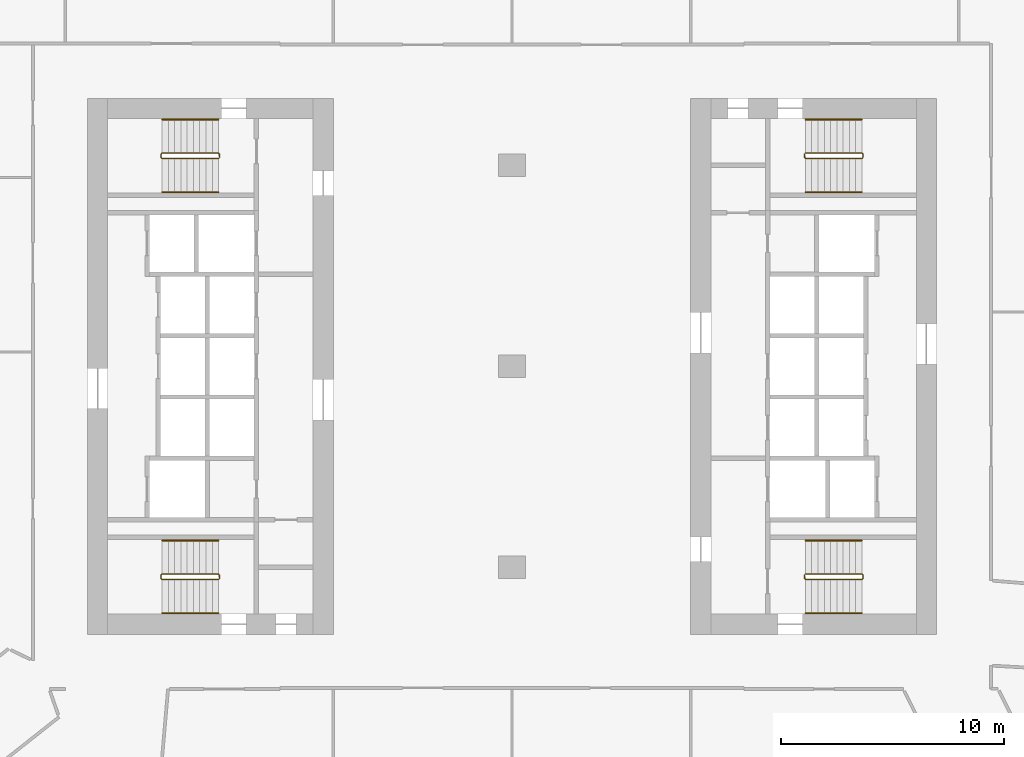
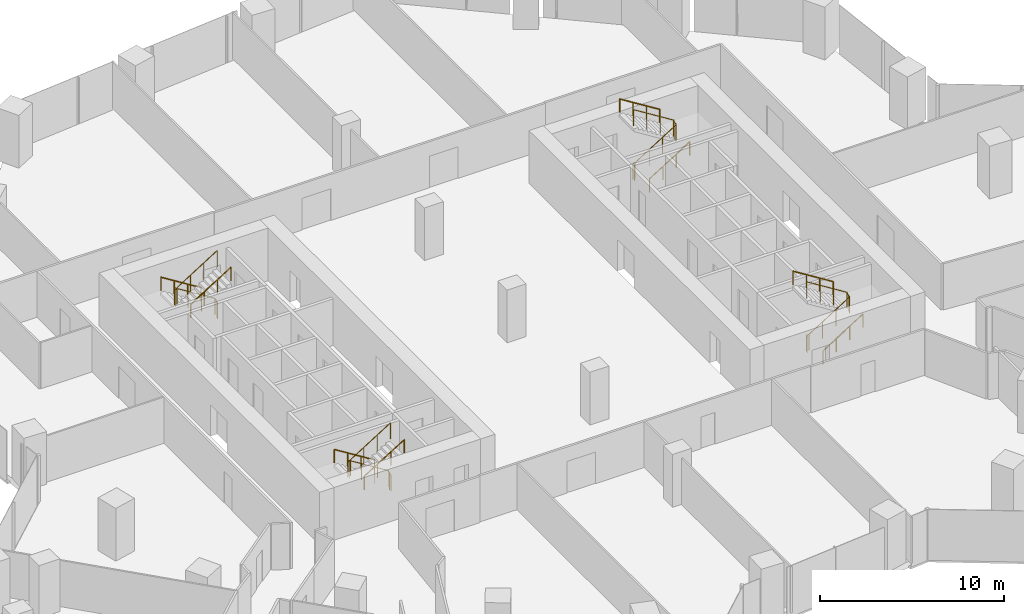
# One storey, part 34 of 34: 12 railings.
"""IFC4 building model written with IfcOpenShell, lengths in metres."""

from ifc_helpers import new_model, si_unit, direction, frame, origin, origin_2d, place, context, subcontext, project, spatial, circle, extrude, material, type_object, element, save


model = new_model("IFC4")

# Units and contexts
model_context = context("Model", 3, precision=1e-05, world=origin(), true_north=direction((0.0, 1.0)))
body_context = subcontext(model_context, "Body", "Model", "MODEL_VIEW")
ifc_project = project(units=[si_unit("LENGTHUNIT", "METRE"), si_unit("AREAUNIT", "SQUARE_METRE"), si_unit("VOLUMEUNIT", "CUBIC_METRE"), si_unit("PLANEANGLEUNIT", "RADIAN"), si_unit("MASSUNIT", "GRAM", prefix="KILO")], contexts=[model_context])

# Site, building, storey
site_placement = place(None, origin())
site = spatial("IfcSite", under=ifc_project, at=site_placement, CompositionType="ELEMENT")
building_placement = place(site_placement, origin())
building = spatial("IfcBuilding", under=site, at=building_placement, Name="Orlundy Tower", CompositionType="ELEMENT")
storey_placement = place(building_placement, frame((0.0, 0.0, 47.800048828125)))
storey = spatial("IfcBuildingStorey", under=building, at=storey_placement, Name="L10", CompositionType="ELEMENT", Elevation=47.800048828125)

# Railings
ifc_material_1 = material(Name="Steel balustrade", Category="steel")
railing_type_1 = type_object("IfcRailingType", Name="Stair Guard 1100", PredefinedType="GUARDRAIL", material=ifc_material_1)
railing_1_placement = place(storey_placement, frame((-13.090087890625, 9.5, 0.0)))
element("IfcRailing", 1, at=railing_1_placement, inside=storey, type_object=railing_type_1, Name="L10 ST-W1 stair guard 1", PredefinedType="GUARDRAIL", context=body_context, shape_type="SweptSolid", body=[
    extrude(circle(Radius=0.02392578125, at=origin_2d()), frame((0.0, 0.0, 1.076171875), z_axis=(0.0, -1.0, 0.0), x_axis=(1.0, 0.0, 0.0)), (0.0, 0.0, 1.0), 0.14990234375),
    extrude(circle(Radius=0.02392578125, at=origin_2d()), frame((0.0, -0.14990234375, 1.076171875), z_axis=(-0.18420542264, 0.739530593833, 0.647427882513), x_axis=(-0.970351222016, -0.241699205484, 0.0)), (0.0, 0.0, 1.0), 0.270263671875),
    extrude(circle(Radius=0.02392578125, at=origin_2d()), frame((-0.0498046875, 0.050048828125, 1.2509765625), z_axis=(-0.848007534815, 0.0, 0.529984170421), x_axis=(0.0, -1.0, 0.0)), (0.0, 0.0, 1.0), 2.9716796875),
    extrude(circle(Radius=0.02392578125, at=origin_2d()), frame((-2.56982421875, 0.050048828125, 2.826171875), z_axis=(-0.707106781187, -0.707106781187, 0.0), x_axis=(0.707106781187, -0.707106781187, 0.0)), (0.0, 0.0, 1.0), 0.07080078125),
    extrude(circle(Radius=0.02392578125, at=origin_2d()), frame((-2.619873046875, 0.0, 2.826171875), z_axis=(0.0, -1.0, 0.0), x_axis=(1.0, 0.0, 0.0)), (0.0, 0.0, 1.0), 0.14990234375),
    extrude(circle(Radius=0.02392578125, at=origin_2d()), frame((-2.619873046875, -0.14990234375, 2.826171875), z_axis=(0.265065253269, -0.265065253269, 0.927081885822), x_axis=(0.707106781187, 0.707106781187, 0.0)), (0.0, 0.0, 1.0), 0.188720703125),
    extrude(circle(Radius=0.02392578125, at=origin_2d()), frame((-2.56982421875, -0.199951171875, 3.0009765625), z_axis=(0.848007534815, 0.0, 0.529984170421), x_axis=(0.0, 1.0, 0.0)), (0.0, 0.0, 1.0), 2.9716796875),
    extrude(circle(Radius=0.02099609375, at=origin_2d()), origin(), (0.0, 0.0, 1.0), 1.052001953125),
    extrude(circle(Radius=0.02099609375, at=origin_2d()), frame((0.0, -0.14990234375, 0.0)), (0.0, 0.0, 1.0), 1.052001953125),
    extrude(circle(Radius=0.02099609375, at=origin_2d()), frame((-0.0498046875, 0.050048828125, 0.175048828125)), (0.0, 0.0, 1.0), 1.052001953125),
    extrude(circle(Radius=0.02099609375, at=origin_2d()), frame((-0.889892578125, 0.050048828125, 0.699951171875)), (0.0, 0.0, 1.0), 1.052001953125),
    extrude(circle(Radius=0.02099609375, at=origin_2d()), frame((-1.729736328125, 0.050048828125, 1.22509765625)), (0.0, 0.0, 1.0), 1.052001953125),
    extrude(circle(Radius=0.02099609375, at=origin_2d()), frame((-2.56982421875, 0.050048828125, 1.75)), (0.0, 0.0, 1.0), 1.052001953125),
    extrude(circle(Radius=0.02099609375, at=origin_2d()), frame((-2.619873046875, 0.0, 1.75)), (0.0, 0.0, 1.0), 1.052001953125),
    extrude(circle(Radius=0.02099609375, at=origin_2d()), frame((-2.619873046875, -0.14990234375, 1.75)), (0.0, 0.0, 1.0), 1.052001953125),
    extrude(circle(Radius=0.02099609375, at=origin_2d()), frame((-2.56982421875, -0.199951171875, 1.925048828125)), (0.0, 0.0, 1.0), 1.052001953125),
    extrude(circle(Radius=0.02099609375, at=origin_2d()), frame((-1.729736328125, -0.199951171875, 2.449951171875)), (0.0, 0.0, 1.0), 1.052001953125),
    extrude(circle(Radius=0.02099609375, at=origin_2d()), frame((-0.889892578125, -0.199951171875, 2.97509765625)), (0.0, 0.0, 1.0), 1.052001953125),
    extrude(circle(Radius=0.02099609375, at=origin_2d()), frame((-0.0498046875, -0.199951171875, 3.5)), (0.0, 0.0, 1.0), 1.052001953125),
])
railing_2_placement = place(storey_placement, frame((-13.090087890625, -9.35009765625, 0.0)))
element("IfcRailing", 2, at=railing_2_placement, inside=storey, type_object=railing_type_1, Name="L10 ST-W2 stair guard 1", PredefinedType="GUARDRAIL", context=body_context, shape_type="SweptSolid", body=[
    extrude(circle(Radius=0.02392578125, at=origin_2d()), frame((0.0, 0.0, 1.076171875), z_axis=(0.0, -1.0, 0.0), x_axis=(1.0, 0.0, 0.0)), (0.0, 0.0, 1.0), 0.14990234375),
    extrude(circle(Radius=0.02392578125, at=origin_2d()), frame((0.0, -0.14990234375, 1.076171875), z_axis=(-0.18420542264, 0.739530593833, 0.647427882513), x_axis=(-0.970351222016, -0.241699205484, 0.0)), (0.0, 0.0, 1.0), 0.270263671875),
    extrude(circle(Radius=0.02392578125, at=origin_2d()), frame((-0.0498046875, 0.050048828125, 1.2509765625), z_axis=(-0.848007534815, 0.0, 0.529984170421), x_axis=(0.0, -1.0, 0.0)), (0.0, 0.0, 1.0), 2.9716796875),
    extrude(circle(Radius=0.02392578125, at=origin_2d()), frame((-2.56982421875, 0.050048828125, 2.826171875), z_axis=(-0.707106781187, -0.707106781187, 0.0), x_axis=(0.707106781187, -0.707106781187, 0.0)), (0.0, 0.0, 1.0), 0.07080078125),
    extrude(circle(Radius=0.02392578125, at=origin_2d()), frame((-2.619873046875, 0.0, 2.826171875), z_axis=(0.0, -1.0, 0.0), x_axis=(1.0, 0.0, 0.0)), (0.0, 0.0, 1.0), 0.14990234375),
    extrude(circle(Radius=0.02392578125, at=origin_2d()), frame((-2.619873046875, -0.14990234375, 2.826171875), z_axis=(0.265065253269, -0.265065253269, 0.927081885822), x_axis=(0.707106781187, 0.707106781187, 0.0)), (0.0, 0.0, 1.0), 0.188720703125),
    extrude(circle(Radius=0.02392578125, at=origin_2d()), frame((-2.56982421875, -0.199951171875, 3.0009765625), z_axis=(0.848007534815, 0.0, 0.529984170421), x_axis=(0.0, 1.0, 0.0)), (0.0, 0.0, 1.0), 2.9716796875),
    extrude(circle(Radius=0.02099609375, at=origin_2d()), origin(), (0.0, 0.0, 1.0), 1.052001953125),
    extrude(circle(Radius=0.02099609375, at=origin_2d()), frame((0.0, -0.14990234375, 0.0)), (0.0, 0.0, 1.0), 1.052001953125),
    extrude(circle(Radius=0.02099609375, at=origin_2d()), frame((-0.0498046875, 0.050048828125, 0.175048828125)), (0.0, 0.0, 1.0), 1.052001953125),
    extrude(circle(Radius=0.02099609375, at=origin_2d()), frame((-0.889892578125, 0.050048828125, 0.699951171875)), (0.0, 0.0, 1.0), 1.052001953125),
    extrude(circle(Radius=0.02099609375, at=origin_2d()), frame((-1.729736328125, 0.050048828125, 1.22509765625)), (0.0, 0.0, 1.0), 1.052001953125),
    extrude(circle(Radius=0.02099609375, at=origin_2d()), frame((-2.56982421875, 0.050048828125, 1.75)), (0.0, 0.0, 1.0), 1.052001953125),
    extrude(circle(Radius=0.02099609375, at=origin_2d()), frame((-2.619873046875, 0.0, 1.75)), (0.0, 0.0, 1.0), 1.052001953125),
    extrude(circle(Radius=0.02099609375, at=origin_2d()), frame((-2.619873046875, -0.14990234375, 1.75)), (0.0, 0.0, 1.0), 1.052001953125),
    extrude(circle(Radius=0.02099609375, at=origin_2d()), frame((-2.56982421875, -0.199951171875, 1.925048828125)), (0.0, 0.0, 1.0), 1.052001953125),
    extrude(circle(Radius=0.02099609375, at=origin_2d()), frame((-1.729736328125, -0.199951171875, 2.449951171875)), (0.0, 0.0, 1.0), 1.052001953125),
    extrude(circle(Radius=0.02099609375, at=origin_2d()), frame((-0.889892578125, -0.199951171875, 2.97509765625)), (0.0, 0.0, 1.0), 1.052001953125),
    extrude(circle(Radius=0.02099609375, at=origin_2d()), frame((-0.0498046875, -0.199951171875, 3.5)), (0.0, 0.0, 1.0), 1.052001953125),
])
railing_3_placement = place(storey_placement, frame((13.090087890625, -9.5, 0.0)))
element("IfcRailing", 3, at=railing_3_placement, inside=storey, type_object=railing_type_1, Name="L10 ST-E1 stair guard 1", PredefinedType="GUARDRAIL", context=body_context, shape_type="SweptSolid", body=[
    extrude(circle(Radius=0.02392578125, at=origin_2d()), frame((0.0, 0.0, 1.076171875), z_axis=(0.0, 1.0, 0.0), x_axis=(-1.0, 0.0, 0.0)), (0.0, 0.0, 1.0), 0.14990234375),
    extrude(circle(Radius=0.02392578125, at=origin_2d()), frame((0.0, 0.14990234375, 1.076171875), z_axis=(0.18420542264, -0.739530593833, 0.647427882513), x_axis=(0.970351222016, 0.241699205484, 0.0)), (0.0, 0.0, 1.0), 0.270263671875),
    extrude(circle(Radius=0.02392578125, at=origin_2d()), frame((0.0498046875, -0.050048828125, 1.2509765625), z_axis=(0.848007534815, 0.0, 0.529984170421), x_axis=(0.0, 1.0, 0.0)), (0.0, 0.0, 1.0), 2.9716796875),
    extrude(circle(Radius=0.02392578125, at=origin_2d()), frame((2.56982421875, -0.050048828125, 2.826171875), z_axis=(0.707106781187, 0.707106781187, 0.0), x_axis=(-0.707106781187, 0.707106781187, 0.0)), (0.0, 0.0, 1.0), 0.07080078125),
    extrude(circle(Radius=0.02392578125, at=origin_2d()), frame((2.619873046875, 0.0, 2.826171875), z_axis=(0.0, 1.0, 0.0), x_axis=(-1.0, 0.0, 0.0)), (0.0, 0.0, 1.0), 0.14990234375),
    extrude(circle(Radius=0.02392578125, at=origin_2d()), frame((2.619873046875, 0.14990234375, 2.826171875), z_axis=(-0.265065253269, 0.265065253269, 0.927081885822), x_axis=(-0.707106781187, -0.707106781187, 0.0)), (0.0, 0.0, 1.0), 0.188720703125),
    extrude(circle(Radius=0.02392578125, at=origin_2d()), frame((2.56982421875, 0.199951171875, 3.0009765625), z_axis=(-0.848007534815, 0.0, 0.529984170421), x_axis=(0.0, -1.0, 0.0)), (0.0, 0.0, 1.0), 2.9716796875),
    extrude(circle(Radius=0.02099609375, at=origin_2d()), origin(), (0.0, 0.0, 1.0), 1.052001953125),
    extrude(circle(Radius=0.02099609375, at=origin_2d()), frame((0.0, 0.14990234375, 0.0)), (0.0, 0.0, 1.0), 1.052001953125),
    extrude(circle(Radius=0.02099609375, at=origin_2d()), frame((0.0498046875, -0.050048828125, 0.175048828125)), (0.0, 0.0, 1.0), 1.052001953125),
    extrude(circle(Radius=0.02099609375, at=origin_2d()), frame((0.889892578125, -0.050048828125, 0.699951171875)), (0.0, 0.0, 1.0), 1.052001953125),
    extrude(circle(Radius=0.02099609375, at=origin_2d()), frame((1.729736328125, -0.050048828125, 1.22509765625)), (0.0, 0.0, 1.0), 1.052001953125),
    extrude(circle(Radius=0.02099609375, at=origin_2d()), frame((2.56982421875, -0.050048828125, 1.75)), (0.0, 0.0, 1.0), 1.052001953125),
    extrude(circle(Radius=0.02099609375, at=origin_2d()), frame((2.619873046875, 0.0, 1.75)), (0.0, 0.0, 1.0), 1.052001953125),
    extrude(circle(Radius=0.02099609375, at=origin_2d()), frame((2.619873046875, 0.14990234375, 1.75)), (0.0, 0.0, 1.0), 1.052001953125),
    extrude(circle(Radius=0.02099609375, at=origin_2d()), frame((2.56982421875, 0.199951171875, 1.925048828125)), (0.0, 0.0, 1.0), 1.052001953125),
    extrude(circle(Radius=0.02099609375, at=origin_2d()), frame((1.729736328125, 0.199951171875, 2.449951171875)), (0.0, 0.0, 1.0), 1.052001953125),
    extrude(circle(Radius=0.02099609375, at=origin_2d()), frame((0.889892578125, 0.199951171875, 2.97509765625)), (0.0, 0.0, 1.0), 1.052001953125),
    extrude(circle(Radius=0.02099609375, at=origin_2d()), frame((0.0498046875, 0.199951171875, 3.5)), (0.0, 0.0, 1.0), 1.052001953125),
])
railing_4_placement = place(storey_placement, frame((13.090087890625, 9.35009765625, 0.0)))
element("IfcRailing", 4, at=railing_4_placement, inside=storey, type_object=railing_type_1, Name="L10 ST-E2 stair guard 1", PredefinedType="GUARDRAIL", context=body_context, shape_type="SweptSolid", body=[
    extrude(circle(Radius=0.02392578125, at=origin_2d()), frame((0.0, 0.0, 1.076171875), z_axis=(0.0, 1.0, 0.0), x_axis=(-1.0, 0.0, 0.0)), (0.0, 0.0, 1.0), 0.14990234375),
    extrude(circle(Radius=0.02392578125, at=origin_2d()), frame((0.0, 0.14990234375, 1.076171875), z_axis=(0.18420542264, -0.739530593833, 0.647427882513), x_axis=(0.970351222016, 0.241699205484, 0.0)), (0.0, 0.0, 1.0), 0.270263671875),
    extrude(circle(Radius=0.02392578125, at=origin_2d()), frame((0.0498046875, -0.050048828125, 1.2509765625), z_axis=(0.848007534815, 0.0, 0.529984170421), x_axis=(0.0, 1.0, 0.0)), (0.0, 0.0, 1.0), 2.9716796875),
    extrude(circle(Radius=0.02392578125, at=origin_2d()), frame((2.56982421875, -0.050048828125, 2.826171875), z_axis=(0.707106781187, 0.707106781187, 0.0), x_axis=(-0.707106781187, 0.707106781187, 0.0)), (0.0, 0.0, 1.0), 0.07080078125),
    extrude(circle(Radius=0.02392578125, at=origin_2d()), frame((2.619873046875, 0.0, 2.826171875), z_axis=(0.0, 1.0, 0.0), x_axis=(-1.0, 0.0, 0.0)), (0.0, 0.0, 1.0), 0.14990234375),
    extrude(circle(Radius=0.02392578125, at=origin_2d()), frame((2.619873046875, 0.14990234375, 2.826171875), z_axis=(-0.265065253269, 0.265065253269, 0.927081885822), x_axis=(-0.707106781187, -0.707106781187, 0.0)), (0.0, 0.0, 1.0), 0.188720703125),
    extrude(circle(Radius=0.02392578125, at=origin_2d()), frame((2.56982421875, 0.199951171875, 3.0009765625), z_axis=(-0.848007534815, 0.0, 0.529984170421), x_axis=(0.0, -1.0, 0.0)), (0.0, 0.0, 1.0), 2.9716796875),
    extrude(circle(Radius=0.02099609375, at=origin_2d()), origin(), (0.0, 0.0, 1.0), 1.052001953125),
    extrude(circle(Radius=0.02099609375, at=origin_2d()), frame((0.0, 0.14990234375, 0.0)), (0.0, 0.0, 1.0), 1.052001953125),
    extrude(circle(Radius=0.02099609375, at=origin_2d()), frame((0.0498046875, -0.050048828125, 0.175048828125)), (0.0, 0.0, 1.0), 1.052001953125),
    extrude(circle(Radius=0.02099609375, at=origin_2d()), frame((0.889892578125, -0.050048828125, 0.699951171875)), (0.0, 0.0, 1.0), 1.052001953125),
    extrude(circle(Radius=0.02099609375, at=origin_2d()), frame((1.729736328125, -0.050048828125, 1.22509765625)), (0.0, 0.0, 1.0), 1.052001953125),
    extrude(circle(Radius=0.02099609375, at=origin_2d()), frame((2.56982421875, -0.050048828125, 1.75)), (0.0, 0.0, 1.0), 1.052001953125),
    extrude(circle(Radius=0.02099609375, at=origin_2d()), frame((2.619873046875, 0.0, 1.75)), (0.0, 0.0, 1.0), 1.052001953125),
    extrude(circle(Radius=0.02099609375, at=origin_2d()), frame((2.619873046875, 0.14990234375, 1.75)), (0.0, 0.0, 1.0), 1.052001953125),
    extrude(circle(Radius=0.02099609375, at=origin_2d()), frame((2.56982421875, 0.199951171875, 1.925048828125)), (0.0, 0.0, 1.0), 1.052001953125),
    extrude(circle(Radius=0.02099609375, at=origin_2d()), frame((1.729736328125, 0.199951171875, 2.449951171875)), (0.0, 0.0, 1.0), 1.052001953125),
    extrude(circle(Radius=0.02099609375, at=origin_2d()), frame((0.889892578125, 0.199951171875, 2.97509765625)), (0.0, 0.0, 1.0), 1.052001953125),
    extrude(circle(Radius=0.02099609375, at=origin_2d()), frame((0.0498046875, 0.199951171875, 3.5)), (0.0, 0.0, 1.0), 1.052001953125),
])
ifc_material_2 = material(Name="Steel handrail", Category="steel")
railing_type_2 = type_object("IfcRailingType", Name="Stair Handrail 900", PredefinedType="HANDRAIL", material=ifc_material_2)
railing_5_placement = place(storey_placement, frame((-13.139892578125, 11.050048828125, 0.175048828125)))
element("IfcRailing", 5, at=railing_5_placement, inside=storey, type_object=railing_type_2, Name="L10 ST-W1 stair handrail 1", PredefinedType="HANDRAIL", context=body_context, shape_type="SweptSolid", body=[
    extrude(circle(Radius=0.02392578125, at=origin_2d()), frame((0.0, 0.0, 0.8759765625), z_axis=(-0.848007534815, 0.0, 0.529984170421), x_axis=(0.0, -1.0, 0.0)), (0.0, 0.0, 1.0), 2.9716796875),
    extrude(circle(Radius=0.02099609375, at=origin_2d()), origin(), (0.0, 0.0, 1.0), 0.851806640625),
    extrude(circle(Radius=0.02099609375, at=origin_2d()), frame((-0.840087890625, 0.0, 0.52490234375)), (0.0, 0.0, 1.0), 0.851806640625),
    extrude(circle(Radius=0.02099609375, at=origin_2d()), frame((-1.679931640625, 0.0, 1.050048828125)), (0.0, 0.0, 1.0), 0.851806640625),
    extrude(circle(Radius=0.02099609375, at=origin_2d()), frame((-2.52001953125, 0.0, 1.574951171875)), (0.0, 0.0, 1.0), 0.851806640625),
])
railing_6_placement = place(storey_placement, frame((-15.659912109375, 7.800048828125, 1.925048828125)))
element("IfcRailing", 6, at=railing_6_placement, inside=storey, type_object=railing_type_2, Name="L10 ST-W1 stair handrail 2", PredefinedType="HANDRAIL", context=body_context, shape_type="SweptSolid", body=[
    extrude(circle(Radius=0.02392578125, at=origin_2d()), frame((0.0, 0.0, 0.8759765625), z_axis=(0.848007534815, 0.0, 0.529984170421), x_axis=(0.0, 1.0, 0.0)), (0.0, 0.0, 1.0), 2.9716796875),
    extrude(circle(Radius=0.02099609375, at=origin_2d()), origin(), (0.0, 0.0, 1.0), 0.851806640625),
    extrude(circle(Radius=0.02099609375, at=origin_2d()), frame((0.840087890625, 0.0, 0.52490234375)), (0.0, 0.0, 1.0), 0.851806640625),
    extrude(circle(Radius=0.02099609375, at=origin_2d()), frame((1.679931640625, 0.0, 1.050048828125)), (0.0, 0.0, 1.0), 0.851806640625),
    extrude(circle(Radius=0.02099609375, at=origin_2d()), frame((2.52001953125, 0.0, 1.574951171875)), (0.0, 0.0, 1.0), 0.851806640625),
])
railing_7_placement = place(storey_placement, frame((-13.139892578125, -7.800048828125, 0.175048828125)))
element("IfcRailing", 7, at=railing_7_placement, inside=storey, type_object=railing_type_2, Name="L10 ST-W2 stair handrail 1", PredefinedType="HANDRAIL", context=body_context, shape_type="SweptSolid", body=[
    extrude(circle(Radius=0.02392578125, at=origin_2d()), frame((0.0, 0.0, 0.8759765625), z_axis=(-0.848007534815, 0.0, 0.529984170421), x_axis=(0.0, -1.0, 0.0)), (0.0, 0.0, 1.0), 2.9716796875),
    extrude(circle(Radius=0.02099609375, at=origin_2d()), origin(), (0.0, 0.0, 1.0), 0.851806640625),
    extrude(circle(Radius=0.02099609375, at=origin_2d()), frame((-0.840087890625, 0.0, 0.52490234375)), (0.0, 0.0, 1.0), 0.851806640625),
    extrude(circle(Radius=0.02099609375, at=origin_2d()), frame((-1.679931640625, 0.0, 1.050048828125)), (0.0, 0.0, 1.0), 0.851806640625),
    extrude(circle(Radius=0.02099609375, at=origin_2d()), frame((-2.52001953125, 0.0, 1.574951171875)), (0.0, 0.0, 1.0), 0.851806640625),
])
for number, where, name in (
    (8, (-15.659912109375, -11.050048828125, 1.925048828125), "L10 ST-W2 stair handrail 2"),
    (9, (13.139892578125, -11.050048828125, 0.175048828125), "L10 ST-E1 stair handrail 1"),
):
    element("IfcRailing", number, at=place(storey_placement, frame(where)), inside=storey, type_object=railing_type_2, Name=name, PredefinedType="HANDRAIL", context=body_context, shape_type="SweptSolid", body=[
        extrude(circle(Radius=0.02392578125, at=origin_2d()), frame((0.0, 0.0, 0.8759765625), z_axis=(0.848007534815, 0.0, 0.529984170421), x_axis=(0.0, 1.0, 0.0)), (0.0, 0.0, 1.0), 2.9716796875),
        extrude(circle(Radius=0.02099609375, at=origin_2d()), origin(), (0.0, 0.0, 1.0), 0.851806640625),
        extrude(circle(Radius=0.02099609375, at=origin_2d()), frame((0.840087890625, 0.0, 0.52490234375)), (0.0, 0.0, 1.0), 0.851806640625),
        extrude(circle(Radius=0.02099609375, at=origin_2d()), frame((1.679931640625, 0.0, 1.050048828125)), (0.0, 0.0, 1.0), 0.851806640625),
        extrude(circle(Radius=0.02099609375, at=origin_2d()), frame((2.52001953125, 0.0, 1.574951171875)), (0.0, 0.0, 1.0), 0.851806640625),
    ])
railing_8_placement = place(storey_placement, frame((15.659912109375, -7.800048828125, 1.925048828125)))
element("IfcRailing", 10, at=railing_8_placement, inside=storey, type_object=railing_type_2, Name="L10 ST-E1 stair handrail 2", PredefinedType="HANDRAIL", context=body_context, shape_type="SweptSolid", body=[
    extrude(circle(Radius=0.02392578125, at=origin_2d()), frame((0.0, 0.0, 0.8759765625), z_axis=(-0.848007534815, 0.0, 0.529984170421), x_axis=(0.0, -1.0, 0.0)), (0.0, 0.0, 1.0), 2.9716796875),
    extrude(circle(Radius=0.02099609375, at=origin_2d()), origin(), (0.0, 0.0, 1.0), 0.851806640625),
    extrude(circle(Radius=0.02099609375, at=origin_2d()), frame((-0.840087890625, 0.0, 0.52490234375)), (0.0, 0.0, 1.0), 0.851806640625),
    extrude(circle(Radius=0.02099609375, at=origin_2d()), frame((-1.679931640625, 0.0, 1.050048828125)), (0.0, 0.0, 1.0), 0.851806640625),
    extrude(circle(Radius=0.02099609375, at=origin_2d()), frame((-2.52001953125, 0.0, 1.574951171875)), (0.0, 0.0, 1.0), 0.851806640625),
])
railing_9_placement = place(storey_placement, frame((13.139892578125, 7.800048828125, 0.175048828125)))
element("IfcRailing", 11, at=railing_9_placement, inside=storey, type_object=railing_type_2, Name="L10 ST-E2 stair handrail 1", PredefinedType="HANDRAIL", context=body_context, shape_type="SweptSolid", body=[
    extrude(circle(Radius=0.02392578125, at=origin_2d()), frame((0.0, 0.0, 0.8759765625), z_axis=(0.848007534815, 0.0, 0.529984170421), x_axis=(0.0, 1.0, 0.0)), (0.0, 0.0, 1.0), 2.9716796875),
    extrude(circle(Radius=0.02099609375, at=origin_2d()), origin(), (0.0, 0.0, 1.0), 0.851806640625),
    extrude(circle(Radius=0.02099609375, at=origin_2d()), frame((0.840087890625, 0.0, 0.52490234375)), (0.0, 0.0, 1.0), 0.851806640625),
    extrude(circle(Radius=0.02099609375, at=origin_2d()), frame((1.679931640625, 0.0, 1.050048828125)), (0.0, 0.0, 1.0), 0.851806640625),
    extrude(circle(Radius=0.02099609375, at=origin_2d()), frame((2.52001953125, 0.0, 1.574951171875)), (0.0, 0.0, 1.0), 0.851806640625),
])
railing_10_placement = place(storey_placement, frame((15.659912109375, 11.050048828125, 1.925048828125)))
element("IfcRailing", 12, at=railing_10_placement, inside=storey, type_object=railing_type_2, Name="L10 ST-E2 stair handrail 2", PredefinedType="HANDRAIL", context=body_context, shape_type="SweptSolid", body=[
    extrude(circle(Radius=0.02392578125, at=origin_2d()), frame((0.0, 0.0, 0.8759765625), z_axis=(-0.848007534815, 0.0, 0.529984170421), x_axis=(0.0, -1.0, 0.0)), (0.0, 0.0, 1.0), 2.9716796875),
    extrude(circle(Radius=0.02099609375, at=origin_2d()), origin(), (0.0, 0.0, 1.0), 0.851806640625),
    extrude(circle(Radius=0.02099609375, at=origin_2d()), frame((-0.840087890625, 0.0, 0.52490234375)), (0.0, 0.0, 1.0), 0.851806640625),
    extrude(circle(Radius=0.02099609375, at=origin_2d()), frame((-1.679931640625, 0.0, 1.050048828125)), (0.0, 0.0, 1.0), 0.851806640625),
    extrude(circle(Radius=0.02099609375, at=origin_2d()), frame((-2.52001953125, 0.0, 1.574951171875)), (0.0, 0.0, 1.0), 0.851806640625),
])

save(model, "model.ifc")
